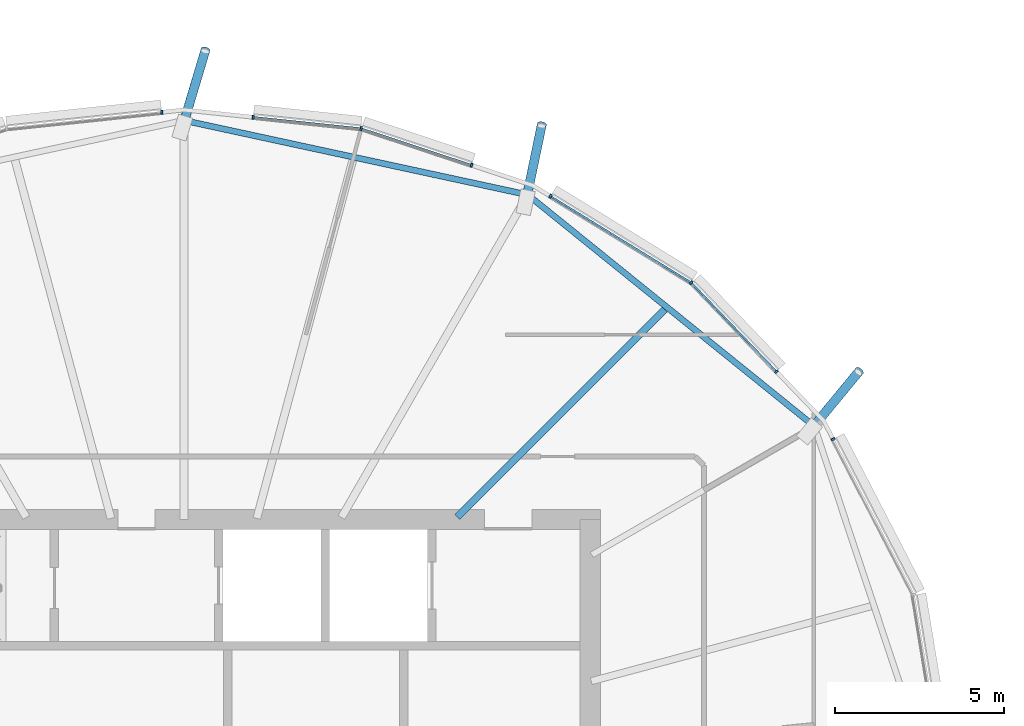
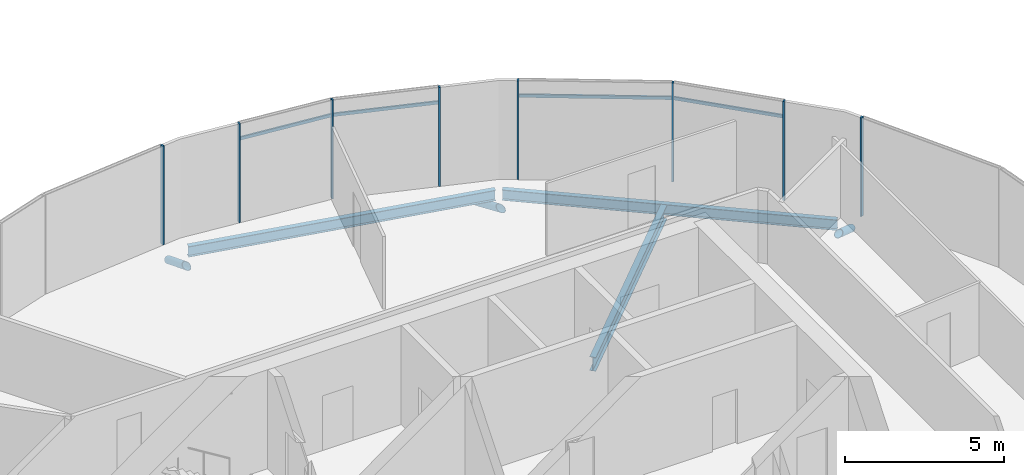
# One storey, part 11 of 37: 15 members, 3 beams, 1 element without a shape of its own.
"""IFC4 building model written with IfcOpenShell, lengths in metres."""

import ifcopenshell
import ifcopenshell.guid

model = None  # the IFC model being written
_history = None  # IfcOwnerHistory: only IFC2X3 demands one
_inside = {}  # id of a spatial element -> (the spatial element, [elements in it])
_under = {}  # id of a project, library or spatial element -> (it, [spatial elements below it])
_declared = {}  # id of a project -> (the project, [libraries it declares])
_typed = {}  # id of a type object -> (the type object, [elements of that type])
_made_of = {}  # id of a material, layer set ... -> (it, [elements and type objects made of it])


def new_model(schema):
    """Start an empty IFC model of exactly this schema.

    Asked for "IFC4X3", IfcOpenShell would pick the latest addendum, in which some entities
    have other attributes; the version numbers below select the first issue.
    IFC2X3 requires an IfcOwnerHistory on every rooted entity: one is made here for all.
    """
    global model, _history
    if schema == "IFC4X3":
        model = ifcopenshell.file(schema_version=(4, 3, 0, 0))
    else:
        model = ifcopenshell.file(schema=schema)
    _inside.clear()
    _under.clear()
    _declared.clear()
    _typed.clear()
    _made_of.clear()
    _history = None
    if model.schema == "IFC2X3":
        org = make("IfcOrganization", Name="unknown")
        user = make(
            "IfcPersonAndOrganization",
            ThePerson=make("IfcPerson", FamilyName="unknown"),
            TheOrganization=org,
        )
        app = make(
            "IfcApplication",
            ApplicationDeveloper=org,
            Version="unknown",
            ApplicationFullName="unknown",
            ApplicationIdentifier="unknown",
        )
        _history = make(
            "IfcOwnerHistory",
            OwningUser=user,
            OwningApplication=app,
            ChangeAction="ADDED",
            CreationDate=0,
        )
    return model


def make(cls, **values):
    """One entity of the class cls with the attributes given. An attribute that is None is left unset."""
    return model.create_entity(
        cls, **{name: value for name, value in values.items() if value is not None}
    )


def rooted(cls, **values):
    """An entity with a GlobalId (a new one), such as an element, a storey or a relation."""
    return make(cls, GlobalId=ifcopenshell.guid.new(), OwnerHistory=_history, **values)


def si_unit(unit_type, name, prefix=None):
    """IfcSIUnit, for example si_unit("LENGTHUNIT", "METRE", prefix="MILLI")."""
    return make("IfcSIUnit", UnitType=unit_type, Prefix=prefix, Name=name)


def assignment(units):
    """IfcUnitAssignment: the units of a project."""
    return None if units is None else make("IfcUnitAssignment", Units=units)


def point(xyz):
    """IfcCartesianPoint."""
    return None if xyz is None else make("IfcCartesianPoint", Coordinates=xyz)


def direction(xyz):
    """IfcDirection."""
    return None if xyz is None else make("IfcDirection", DirectionRatios=xyz)


def frame(location, z_axis=None, x_axis=None):
    """IfcAxis2Placement3D, a coordinate frame: its origin and axes. An axis left out is left unset."""
    return make(
        "IfcAxis2Placement3D",
        Location=point(location),
        Axis=direction(z_axis),
        RefDirection=direction(x_axis),
    )


def frame_2d(location, x_axis=None):
    """IfcAxis2Placement2D, a coordinate frame in the plane: its origin and x axis."""
    return make(
        "IfcAxis2Placement2D", Location=point(location), RefDirection=direction(x_axis)
    )


def origin():
    """The frame at (0, 0, 0) with its axes left unset."""
    return frame((0.0, 0.0, 0.0))


def origin_2d():
    """The frame at (0, 0) in the plane with its x axis left unset."""
    return frame_2d((0.0, 0.0))


def place(relative_to, where):
    """IfcLocalPlacement: puts the frame where relative to a parent placement (None: the world)."""
    return make(
        "IfcLocalPlacement", PlacementRelTo=relative_to, RelativePlacement=where
    )


def context(
    kind, dimensions, precision=None, world=None, true_north=None, identifier=None
):
    """IfcGeometricRepresentationContext, for example the 3D "Model" context."""
    return make(
        "IfcGeometricRepresentationContext",
        ContextIdentifier=identifier,
        ContextType=kind,
        CoordinateSpaceDimension=dimensions,
        Precision=precision,
        WorldCoordinateSystem=world,
        TrueNorth=true_north,
    )


def subcontext(parent, identifier, kind, view, scale=None):
    """IfcGeometricRepresentationSubContext, for example "Body" below "Model"."""
    return make(
        "IfcGeometricRepresentationSubContext",
        ContextIdentifier=identifier,
        ContextType=kind,
        ParentContext=parent,
        TargetScale=scale,
        TargetView=view,
    )


def project(units=None, contexts=None):
    """IfcProject with its units and contexts."""
    return rooted(
        "IfcProject",
        Name="project",
        RepresentationContexts=contexts,
        UnitsInContext=assignment(units),
    )


def spatial(cls, under=None, at=None, **own):
    """A site, building, storey or space (cls), placed at a placement, below another one or the project."""
    s = rooted(cls, ObjectPlacement=at, **own)
    if under is not None:
        _under.setdefault(under.id(), (under, []))[1].append(s)
    return s


def profile(cls, at=None, kind="AREA", **sizes):
    """A parametric profile (cls). Its sizes go by their IFC names, for example OverallWidth=200.0."""
    return make(cls, ProfileType=kind, Position=at, **sizes)


def rectangle(**sizes):
    """IfcRectangleProfileDef."""
    return profile("IfcRectangleProfileDef", **sizes)


def hollow_circle(**sizes):
    """IfcCircleHollowProfileDef."""
    return profile("IfcCircleHollowProfileDef", **sizes)


def i_section(**sizes):
    """IfcIShapeProfileDef."""
    return profile("IfcIShapeProfileDef", **sizes)


def extrude(swept, where, along, depth):
    """IfcExtrudedAreaSolid: the profile swept, set in the frame where, extruded along a direction by depth."""
    return make(
        "IfcExtrudedAreaSolid",
        SweptArea=swept,
        Position=where,
        ExtrudedDirection=direction(along),
        Depth=depth,
    )


def clip(a, b, op="DIFFERENCE"):
    """IfcBooleanClippingResult: the solid a cut by the half space b."""
    return make(
        "IfcBooleanClippingResult", Operator=op, FirstOperand=a, SecondOperand=b
    )


def halfspace(plane, agree):
    """IfcHalfSpaceSolid: all space on one side of the plane z = 0 of the frame plane."""
    return make(
        "IfcHalfSpaceSolid",
        BaseSurface=make("IfcPlane", Position=plane),
        AgreementFlag=agree,
    )


def shape(context_of_items, identifier, shape_type, items):
    """IfcShapeRepresentation: the items that make up one representation, for example the "Body"."""
    return make(
        "IfcShapeRepresentation",
        ContextOfItems=context_of_items,
        RepresentationIdentifier=identifier,
        RepresentationType=shape_type,
        Items=items,
    )


def material(Name=None, Category=None):
    """IfcMaterial."""
    return make("IfcMaterial", Name=Name, Category=Category)


def material_profile(
    of_material, cross_section, Name=None, Category=None, Priority=None
):
    """IfcMaterialProfile: a cross section and its material."""
    return make(
        "IfcMaterialProfile",
        Name=Name,
        Material=of_material,
        Profile=cross_section,
        Priority=Priority,
        Category=Category,
    )


def profile_set(profiles, Name=None, composite=None):
    """IfcMaterialProfileSet."""
    return make(
        "IfcMaterialProfileSet",
        Name=Name,
        MaterialProfiles=profiles,
        CompositeProfile=composite,
    )


def made_of(thing, what):
    """Note that an element or type object is made of a material, layer set ...; save() writes the relation."""
    if what is not None:
        _made_of.setdefault(what.id(), (what, []))[1].append(thing)
    return thing


def type_object(cls, material=None, **own):
    """A type object (cls), such as IfcWallType, which elements share."""
    return made_of(rooted(cls, **own), material)


def element(
    cls,
    number,
    at=None,
    inside=None,
    cuts=None,
    type_object=None,
    material=None,
    context=None,
    identifier="Body",
    shape_type=None,
    held_by="IfcProductDefinitionShape",
    body=None,
    shapes=None,
    **own,
):
    """One element of the class cls, such as IfcWall. Its Tag is "e" and its number.

    at: its placement. inside: the storey or other place that contains it. cuts: it is an
    opening in that element (IfcRelVoidsElement). A single representation is given by context,
    identifier, shape_type and body (its items); several are given by shapes. held_by: the class
    of the entity that holds the representations. save() writes the other relations.
    """
    e = rooted(cls, Tag="e%d" % number, ObjectPlacement=at, **own)
    if body is not None:
        shapes = [shape(context, identifier, shape_type, body)]
    if shapes is not None:
        e.Representation = make(held_by, Representations=shapes)
    if inside is not None:
        _inside.setdefault(inside.id(), (inside, []))[1].append(e)
    if cuts is not None:
        rooted(
            "IfcRelVoidsElement", RelatingBuildingElement=cuts, RelatedOpeningElement=e
        )
    if type_object is not None:
        _typed.setdefault(type_object.id(), (type_object, []))[1].append(e)
    return made_of(e, material)


def aggregate(whole, parts):
    """IfcRelAggregates: a whole, such as a stair, and the parts it consists of."""
    return rooted("IfcRelAggregates", RelatingObject=whole, RelatedObjects=parts)


def save(model, path):
    """Write the relations noted so far, then the file.

    IfcRelAggregates (storeys below a building ...), IfcRelContainedInSpatialStructure (elements
    in a storey), IfcRelDefinesByType, IfcRelAssociatesMaterial and IfcRelDeclares: one each for
    every whole, place, type object, material and project.
    """
    for whole, parts in _under.values():
        aggregate(whole, parts)
    for where, things in _inside.values():
        rooted(
            "IfcRelContainedInSpatialStructure",
            RelatedElements=things,
            RelatingStructure=where,
        )
    for kind, things in _typed.values():
        rooted("IfcRelDefinesByType", RelatedObjects=things, RelatingType=kind)
    for what, things in _made_of.values():
        rooted("IfcRelAssociatesMaterial", RelatedObjects=things, RelatingMaterial=what)
    for by, libraries in _declared.values():
        rooted("IfcRelDeclares", RelatingContext=by, RelatedDefinitions=libraries)
    model.write(path)


model = new_model("IFC4")

# Units and contexts
model_context = context("Model", 3, precision=1e-05, world=origin(), true_north=direction((0.0, 1.0)))
body_context = subcontext(model_context, "Body", "Model", "MODEL_VIEW")
ifc_project = project(units=[si_unit("LENGTHUNIT", "METRE"), si_unit("AREAUNIT", "SQUARE_METRE"), si_unit("VOLUMEUNIT", "CUBIC_METRE"), si_unit("PLANEANGLEUNIT", "RADIAN"), si_unit("MASSUNIT", "GRAM", prefix="KILO")], contexts=[model_context])

# Site, building, storey
site_placement = place(None, origin())
site = spatial("IfcSite", under=ifc_project, at=site_placement, CompositionType="ELEMENT")
building_placement = place(site_placement, origin())
building = spatial("IfcBuilding", under=site, at=building_placement, Name="Rimbun Link Towers", CompositionType="ELEMENT")
storey_placement = place(building_placement, frame((0.0, 0.0, 162.699951171875)))
storey = spatial("IfcBuildingStorey", under=building, at=storey_placement, Name="L39", CompositionType="ELEMENT", Elevation=162.699951171875)

# Curtain wall, members
ifc_material_1 = material(Name="Aluminium 6063-T6 and low-iron glass", Category="aluminium")
curtain_wall_type = type_object("IfcCurtainWallType", Name="CW1-Z3 unitised vision wall (zone 3)", PredefinedType="NOTDEFINED", material=ifc_material_1)
curtain_wall_placement = place(storey_placement, origin())
curtain_wall = element("IfcCurtainWall", 1, at=curtain_wall_placement, inside=storey, type_object=curtain_wall_type, Name="CW1 L39 T1", PredefinedType="NOTDEFINED")
ifc_material_2 = material(Name="Aluminium 6063-T6", Category="aluminium")
ifc_material_profile_1 = material_profile(ifc_material_2, rectangle(XDim=0.1201171875, YDim=0.06005859375, at=origin_2d()), Name="MULLION 60X120")
ifc_profile_set_1 = profile_set([ifc_material_profile_1], Name="Aluminium 6063-T6")
member_type_1 = type_object("IfcMemberType", Name="CW1 mullion 60X120", PredefinedType="MULLION", material=ifc_profile_set_1)
member_1_placement = place(storey_placement, frame((-12.580810546875, 10.3720703125, 0.0), z_axis=(0.0, 0.0, 1.0), x_axis=(0.888144396677, 0.459564501078, 0.0)))
member_1 = element("IfcMember", 2, at=member_1_placement, type_object=member_type_1, Name="CW1 mullion", PredefinedType="MULLION", context=body_context, shape_type="SweptSolid", body=[
    extrude(rectangle(XDim=0.1201171875, YDim=0.06005859375, at=origin_2d()), origin(), (0.0, 0.0, 1.0), 3.800048828125),
])
member_2_placement = place(storey_placement, frame((-16.76953125, 14.989501953125, 0.0), z_axis=(0.0, 0.0, 1.0), x_axis=(0.627675785623, 0.778474860315, 0.0)))
member_2 = element("IfcMember", 3, at=member_2_placement, type_object=member_type_1, Name="CW1 mullion", PredefinedType="MULLION", context=body_context, shape_type="SweptSolid", body=[
    extrude(rectangle(XDim=0.1201171875, YDim=0.06005859375, at=origin_2d()), origin(), (0.0, 0.0, 1.0), 3.800048828125),
])
member_3_placement = place(storey_placement, frame((-14.25048828125, 12.362548828125, 0.0), z_axis=(0.0, 0.0, 1.0), x_axis=(0.721847376977, 0.692052284405, 0.0)))
member_3 = element("IfcMember", 4, at=member_3_placement, type_object=member_type_1, Name="CW1 mullion", PredefinedType="MULLION", context=body_context, shape_type="SweptSolid", body=[
    extrude(rectangle(XDim=0.1201171875, YDim=0.06005859375, at=origin_2d()), origin(), (0.0, 0.0, 1.0), 3.800048828125),
])
member_4_placement = place(storey_placement, frame((-20.92724609375, 17.542724609375, 0.0), z_axis=(0.0, 0.0, 1.0), x_axis=(0.523249760653, 0.85217937547, 0.0)))
member_4 = element("IfcMember", 5, at=member_4_placement, type_object=member_type_1, Name="CW1 mullion", PredefinedType="MULLION", context=body_context, shape_type="SweptSolid", body=[
    extrude(rectangle(XDim=0.1201171875, YDim=0.06005859375, at=origin_2d()), origin(), (0.0, 0.0, 1.0), 3.800048828125),
])
member_5_placement = place(storey_placement, frame((-26.51708984375, 19.541015625, 0.0), z_axis=(0.0, 0.0, 1.0), x_axis=(0.210865888506, 0.977515000941, 0.0)))
member_5 = element("IfcMember", 6, at=member_5_placement, type_object=member_type_1, Name="CW1 mullion", PredefinedType="MULLION", context=body_context, shape_type="SweptSolid", body=[
    extrude(rectangle(XDim=0.1201171875, YDim=0.06005859375, at=origin_2d()), origin(), (0.0, 0.0, 1.0), 3.800048828125),
])
member_6_placement = place(storey_placement, frame((-23.254638671875, 18.460205078125, 0.0), z_axis=(0.0, 0.0, 1.0), x_axis=(0.314555722988, 0.949239009489, 0.0)))
member_6 = element("IfcMember", 7, at=member_6_placement, type_object=member_type_1, Name="CW1 mullion", PredefinedType="MULLION", context=body_context, shape_type="SweptSolid", body=[
    extrude(rectangle(XDim=0.1201171875, YDim=0.06005859375, at=origin_2d()), origin(), (0.0, 0.0, 1.0), 3.800048828125),
])
member_7_placement = place(storey_placement, frame((-29.705078125, 19.876953125, 0.0), z_axis=(0.0, 0.0, 1.0), x_axis=(0.104740318219, 0.994499605701, 0.0)))
member_7 = element("IfcMember", 8, at=member_7_placement, type_object=member_type_1, Name="CW1 mullion", PredefinedType="MULLION", context=body_context, shape_type="SweptSolid", body=[
    extrude(rectangle(XDim=0.1201171875, YDim=0.06005859375, at=origin_2d()), origin(), (0.0, 0.0, 1.0), 3.800048828125),
])
member_8_placement = place(storey_placement, frame((-32.402587890625, 20.023681640625, 0.0), z_axis=(0.0, 0.0, 1.0), x_axis=(-0.104740318219, 0.994499605701, 0.0)))
member_8 = element("IfcMember", 9, at=member_8_placement, type_object=member_type_1, Name="CW1 mullion", PredefinedType="MULLION", context=body_context, shape_type="SweptSolid", body=[
    extrude(rectangle(XDim=0.1201171875, YDim=0.06005859375, at=origin_2d()), origin(), (0.0, 0.0, 1.0), 3.800048828125),
])
ifc_material_3 = material(Name="Aluminium 6063-T6", Category="aluminium")
ifc_material_profile_2 = material_profile(ifc_material_3, rectangle(XDim=0.06005859375, YDim=0.1201171875, at=origin_2d()), Name="TRANSOM 60X120")
ifc_profile_set_2 = profile_set([ifc_material_profile_2], Name="Aluminium 6063-T6")
member_type_2 = type_object("IfcMemberType", Name="CW1 transom 60X120", PredefinedType="USERDEFINED", material=ifc_profile_set_2)
member_9_placement = place(storey_placement, frame((-16.74462890625, 14.961181640625, 3.199951171875), z_axis=(0.692049349553, -0.721850190679, 0.0), x_axis=(0.721850190679, 0.692049349553, 0.0)))
member_9 = element("IfcMember", 10, at=member_9_placement, type_object=member_type_2, Name="CW1 transom", ObjectType="TRANSOM", PredefinedType="USERDEFINED", context=body_context, shape_type="SweptSolid", body=[
    extrude(rectangle(XDim=0.06005859375, YDim=0.1201171875, at=origin_2d()), origin(), (0.0, 0.0, 1.0), 3.57177734375),
])
member_10_placement = place(storey_placement, frame((-20.902587890625, 17.525390625, 3.199951171875), z_axis=(0.852173607466, -0.523259154471, 0.0), x_axis=(0.523259154471, 0.852173607466, 0.0)))
member_10 = element("IfcMember", 11, at=member_10_placement, type_object=member_type_2, Name="CW1 transom", ObjectType="TRANSOM", PredefinedType="USERDEFINED", context=body_context, shape_type="SweptSolid", body=[
    extrude(rectangle(XDim=0.06005859375, YDim=0.1201171875, at=origin_2d()), origin(), (0.0, 0.0, 1.0), 4.811279296875),
])
member_11_placement = place(storey_placement, frame((-26.48291015625, 19.52783203125, 3.199951171875), z_axis=(0.949246811547, -0.314532177636, 0.0), x_axis=(0.314532177636, 0.949246811547, 0.0)))
member_11 = element("IfcMember", 12, at=member_11_placement, type_object=member_type_2, Name="CW1 transom", ObjectType="TRANSOM", PredefinedType="USERDEFINED", context=body_context, shape_type="SweptSolid", body=[
    extrude(rectangle(XDim=0.06005859375, YDim=0.1201171875, at=origin_2d()), origin(), (0.0, 0.0, 1.0), 3.370361328125),
])
member_12_placement = place(storey_placement, frame((-29.67529296875, 19.871826171875, 3.199951171875), z_axis=(0.994505452921, -0.104684784518, 0.0), x_axis=(0.104684784518, 0.994505452921, 0.0)))
member_12 = element("IfcMember", 13, at=member_12_placement, type_object=member_type_2, Name="CW1 transom", ObjectType="TRANSOM", PredefinedType="USERDEFINED", context=body_context, shape_type="SweptSolid", body=[
    extrude(rectangle(XDim=0.06005859375, YDim=0.1201171875, at=origin_2d()), origin(), (0.0, 0.0, 1.0), 3.13916015625),
])
aggregate(curtain_wall, [member_1, member_2, member_3, member_4, member_5, member_6, member_7, member_8, member_9, member_10, member_11, member_12])

# Members
ifc_material_4 = material(Name="Steel S355J2H", Category="steel")
ifc_material_profile_3 = material_profile(ifc_material_4, hollow_circle(Radius=0.136474609375, WallThickness=0.012451171875, at=origin_2d()), Name="CHS 273x12.5")
ifc_profile_set_3 = profile_set([ifc_material_profile_3], Name="Steel S355J2H")
member_type_3 = type_object("IfcMemberType", Name="Floor edge link CHS 273x12.5", PredefinedType="BRACE", material=ifc_profile_set_3)
member_13_placement = place(storey_placement, frame((-13.176025390625, 10.7236328125, -0.6728515625), z_axis=(0.54564381761, 0.661433385719, -0.514566517139), x_axis=(-0.771395448411, 0.636356081271, 0.0)))
element("IfcMember", 14, at=member_13_placement, inside=storey, type_object=member_type_3, Name="Floor edge link T1 L39 02", PredefinedType="BRACE", context=body_context, shape_type="Clipping", body=[
    clip(extrude(hollow_circle(Radius=0.136474609375, WallThickness=0.012451171875, at=origin_2d()), frame((0.0, 0.0, -0.474365234375)), (0.0, 0.0, 1.0), 2.99609375), halfspace(frame((0.0, 0.0, -0.222412109375), z_axis=(0.0, 0.857450464715, -0.514566517139)), False)),
])
member_14_placement = place(storey_placement, frame((-21.62255859375, 17.541259765625, -0.871337890625), z_axis=(0.178131604454, 0.855991398862, -0.485332727692), x_axis=(-0.979026054032, 0.203735086636, 0.0)))
element("IfcMember", 15, at=member_14_placement, inside=storey, type_object=member_type_3, Name="Floor edge link T1 L39 04", PredefinedType="BRACE", context=body_context, shape_type="Clipping", body=[
    clip(extrude(hollow_circle(Radius=0.136474609375, WallThickness=0.012451171875, at=origin_2d()), frame((0.0, 0.0, -0.512451171875)), (0.0, 0.0, 1.0), 3.005615234375), halfspace(frame((0.0, 0.0, -0.24072265625), z_axis=(0.0, 0.874329539379, -0.485332727692)), False)),
])
member_15_placement = place(storey_placement, frame((-31.75, 19.730712890625, -0.8701171875), z_axis=(0.247341327356, 0.827986156364, -0.503250626082), x_axis=(-0.95816149615, 0.286228138547, 0.0)))
element("IfcMember", 16, at=member_15_placement, inside=storey, type_object=member_type_3, Name="Floor edge link T1 L39 06", PredefinedType="BRACE", context=body_context, shape_type="Clipping", body=[
    clip(extrude(hollow_circle(Radius=0.136474609375, WallThickness=0.012451171875, at=origin_2d()), frame((0.0, 0.0, -0.488525390625)), (0.0, 0.0, 1.0), 3.08154296875), halfspace(frame((0.0, 0.0, -0.229736328125), z_axis=(0.0, 0.864140502088, -0.503250626082)), False)),
])

# Beams
ifc_material_5 = material(Name="Steel S355J2", Category="steel")
ifc_material_profile_4 = material_profile(ifc_material_5, i_section(OverallWidth=0.177978515625, OverallDepth=0.406494140625, WebThickness=0.0078125, FlangeThickness=0.0126953125, at=origin_2d()), Name="UB 406x178x60")
ifc_profile_set_4 = profile_set([ifc_material_profile_4], Name="Steel S355J2")
beam_type_1 = type_object("IfcBeamType", Name="UB 406x178x60", PredefinedType="BEAM", material=ifc_profile_set_4)
beam_1_placement = place(storey_placement, frame((-13.207763671875, 10.80908203125, -0.353271484375), z_axis=(-0.777982483739, 0.628285965938, 0.0), x_axis=(-0.628285965938, -0.777982483739, 0.0)))
element("IfcBeam", 17, at=beam_1_placement, inside=storey, type_object=beam_type_1, Name="Edge beam T1 L39 02-04", PredefinedType="BEAM", context=body_context, shape_type="SweptSolid", body=[
    extrude(i_section(OverallWidth=0.177978515625, OverallDepth=0.406494140625, WebThickness=0.0078125, FlangeThickness=0.0126953125, at=origin_2d()), origin(), (0.0, 0.0, 1.0), 10.667724609375),
])
beam_2_placement = place(storey_placement, frame((-21.71533203125, 17.610107421875, -0.353271484375), z_axis=(-0.977395763905, 0.211417881693, 0.0), x_axis=(-0.211417881693, -0.977395763905, 0.0)))
element("IfcBeam", 18, at=beam_2_placement, inside=storey, type_object=beam_type_1, Name="Edge beam T1 L39 04-06", PredefinedType="BEAM", context=body_context, shape_type="SweptSolid", body=[
    extrude(i_section(OverallWidth=0.177978515625, OverallDepth=0.406494140625, WebThickness=0.0078125, FlangeThickness=0.0126953125, at=origin_2d()), origin(), (0.0, 0.0, 1.0), 10.1494140625),
])
ifc_material_6 = material(Name="Steel S355J2", Category="steel")
ifc_material_profile_5 = material_profile(ifc_material_6, i_section(OverallWidth=0.209228515625, OverallDepth=0.533203125, WebThickness=0.010009765625, FlangeThickness=0.015625, at=origin_2d()), Name="UB 533x210x92")
ifc_profile_set_5 = profile_set([ifc_material_profile_5], Name="Steel S355J2")
beam_type_2 = type_object("IfcBeamType", Name="UB 533x210x92", PredefinedType="BEAM", material=ifc_profile_set_5)
beam_3_placement = place(storey_placement, frame((-23.67529296875, 8.07470703125, -0.41650390625), z_axis=(0.707106781187, 0.707106781187, 0.0), x_axis=(-0.707106781187, 0.707106781187, 0.0)))
element("IfcBeam", 19, at=beam_3_placement, inside=storey, type_object=beam_type_2, Name="Radial beam T1 L39 03", PredefinedType="BEAM", context=body_context, shape_type="SweptSolid", body=[
    extrude(i_section(OverallWidth=0.209228515625, OverallDepth=0.533203125, WebThickness=0.010009765625, FlangeThickness=0.015625, at=origin_2d()), origin(), (0.0, 0.0, 1.0), 8.662841796875),
])

save(model, "model.ifc")
